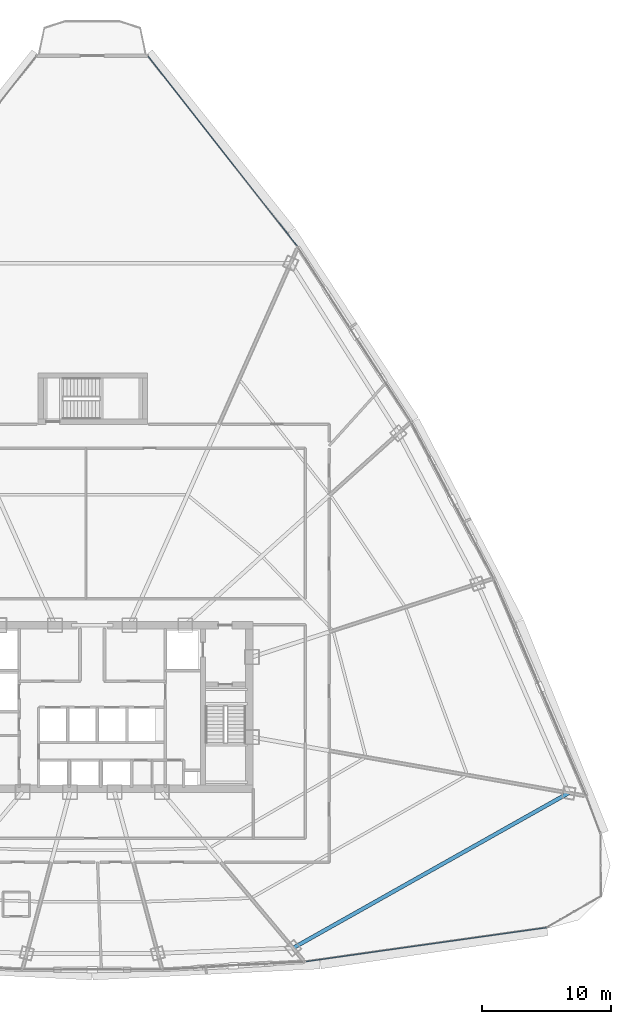
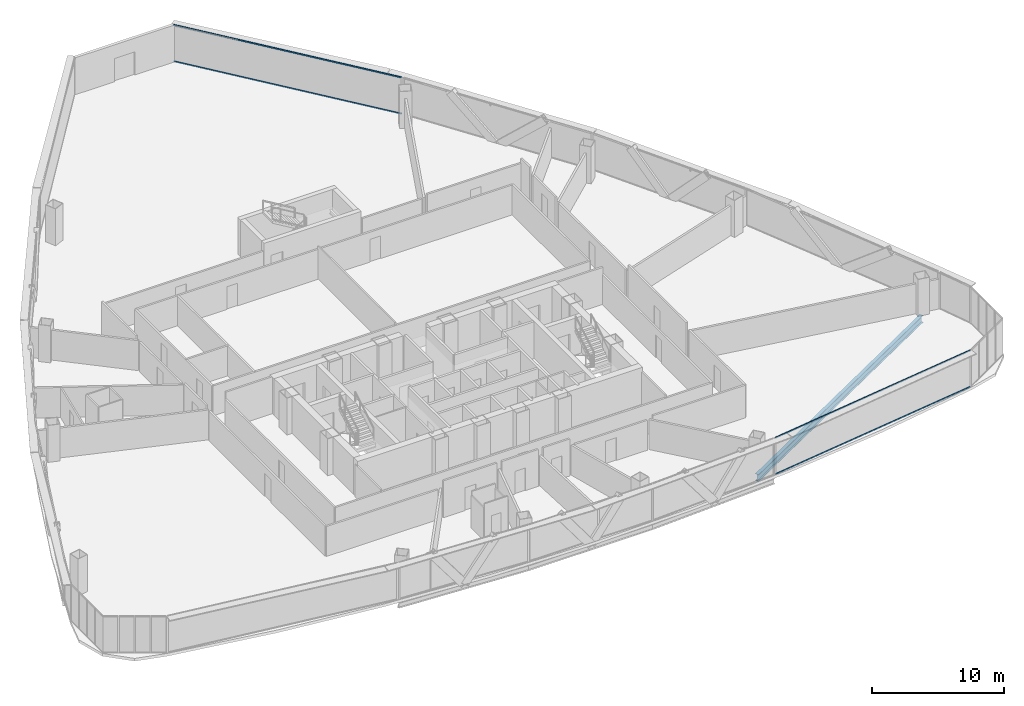
# One storey, part 23 of 42: 4 members, 1 beam, 2 elements without a shape of their own.
"""IFC4 building model written with IfcOpenShell, lengths in metres."""

from ifc_helpers import new_model, si_unit, direction, frame, origin, origin_2d, place, context, subcontext, project, spatial, hollow_rectangle, i_section, extrude, source, transform, mapped, material, layer, layer_set, material_profile, profile_set, type_object, element, aggregate, save


model = new_model("IFC4")

# Units and contexts
model_context = context("Model", 3, precision=1e-05, world=origin(), true_north=direction((0.0, 1.0)))
body_context = subcontext(model_context, "Body", "Model", "MODEL_VIEW")
ifc_project = project(units=[si_unit("LENGTHUNIT", "METRE"), si_unit("AREAUNIT", "SQUARE_METRE"), si_unit("VOLUMEUNIT", "CUBIC_METRE"), si_unit("PLANEANGLEUNIT", "RADIAN"), si_unit("MASSUNIT", "GRAM", prefix="KILO"), si_unit("THERMODYNAMICTEMPERATUREUNIT", "KELVIN"), si_unit("POWERUNIT", "WATT")], contexts=[model_context])

# Site, building, storey
site_placement = place(None, origin())
site = spatial("IfcSite", under=ifc_project, at=site_placement, CompositionType="ELEMENT")
building_placement = place(site_placement, origin())
building = spatial("IfcBuilding", under=site, at=building_placement, Name="Yunzhuo Pagoda Commons", CompositionType="ELEMENT")
storey_placement = place(building_placement, frame((0.0, 0.0, 151.909912109375)))
storey = spatial("IfcBuildingStorey", under=building, at=storey_placement, Name="L38", CompositionType="ELEMENT", Elevation=151.909912109375)

# Beam
ifc_material_1 = material(Name="Structural steel Q355B", Category="steel")
ifc_material_profile_1 = material_profile(ifc_material_1, i_section(OverallWidth=0.300048828125, OverallDepth=0.64990234375, WebThickness=0.012939453125, FlangeThickness=0.02197265625, at=origin_2d()), Name="Structural steel Q355B")
ifc_profile_set_1 = profile_set([ifc_material_profile_1], Name="Structural steel Q355B")
beam_type = type_object("IfcBeamType", Name="B-RG2 Beam HN 650x300x13x22", PredefinedType="BEAM", material=ifc_profile_set_1)
shared_shape_1 = source(origin(), body_context, "Body", "SweptSolid", [
    extrude(i_section(OverallWidth=0.300048828125, OverallDepth=0.64990234375, WebThickness=0.012939453125, FlangeThickness=0.02197265625, at=origin_2d()), origin(), (0.0, 0.0, 1.0), 24.56982421875),
])
beam_placement = place(storey_placement, frame((63.585205078125, 15.126220703125, -0.5849609375), z_axis=(0.871469103633, 0.490450406681, 0.0), x_axis=(-0.490450406681, 0.871469103633, 0.0)))
element("IfcBeam", 1, at=beam_placement, inside=storey, type_object=beam_type, Name="L38 column-ring beam 4", PredefinedType="BEAM", context=body_context, shape_type="MappedRepresentation", body=[
    mapped(shared_shape_1, transform((0.0, 0.0, 0.0), scale=1.0)),
])

# Curtain wall, members
ifc_material_2 = material(Name="Anodized aluminium 6063-T6", Category="aluminium")
ifc_layer = layer(ifc_material_2, 0.14990234375)
ifc_layer_set = layer_set([ifc_layer], Name="Anodized aluminium 6063-T6")
curtain_wall_type = type_object("IfcCurtainWallType", Name="CW-MID Mid-Zone Ribbon Curtain Wall", PredefinedType="NOTDEFINED", material=ifc_layer_set)
curtain_wall_1_placement = place(storey_placement, origin())
curtain_wall_1 = element("IfcCurtainWall", 2, at=curtain_wall_1_placement, inside=storey, type_object=curtain_wall_type, Name="L38 curtain wall CW-L38-F1B5", PredefinedType="NOTDEFINED")
ifc_material_profile_2 = material_profile(ifc_material_2, hollow_rectangle(XDim=0.054931640625, YDim=0.1298828125, WallThickness=0.00341796875, at=origin_2d()), Name="Anodized aluminium 6063-T6")
ifc_profile_set_2 = profile_set([ifc_material_profile_2], Name="Anodized aluminium 6063-T6")
member_type = type_object("IfcMemberType", Name="CW-MID-T Transom RHS 130x55x3.5", PredefinedType="USERDEFINED", material=ifc_profile_set_2)
shared_shape_2 = source(origin(), body_context, "Body", "SweptSolid", [
    extrude(hollow_rectangle(XDim=0.054931640625, YDim=0.1298828125, WallThickness=0.00341796875, at=origin_2d()), origin(), (0.0, 0.0, 1.0), 18.81689453125),
])
member_1_placement = place(storey_placement, frame((64.6064453125, 14.08740234375, 0.027587890625), z_axis=(0.990203475136, 0.139631936994, 0.0), x_axis=(-0.139631936994, 0.990203475136, 0.0)))
member_1 = element("IfcMember", 3, at=member_1_placement, type_object=member_type, Name="CW transom 1.1", ObjectType="TRANSOM", PredefinedType="USERDEFINED", context=body_context, shape_type="MappedRepresentation", body=[
    mapped(shared_shape_2, transform((0.0, 0.0, 0.0), scale=1.0)),
])
member_2_placement = place(storey_placement, frame((64.6064453125, 14.08740234375, 3.392578125), z_axis=(0.990203475136, 0.139631936994, 0.0), x_axis=(-0.139631936994, 0.990203475136, 0.0)))
member_2 = element("IfcMember", 4, at=member_2_placement, type_object=member_type, Name="CW transom 1.2", ObjectType="TRANSOM", PredefinedType="USERDEFINED", context=body_context, shape_type="MappedRepresentation", body=[
    mapped(shared_shape_2, transform((0.0, 0.0, 0.0), scale=1.0)),
])
aggregate(curtain_wall_1, [member_1, member_2])

curtain_wall_2_placement = place(storey_placement, origin())
curtain_wall_2 = element("IfcCurtainWall", 5, at=curtain_wall_2_placement, inside=storey, type_object=curtain_wall_type, Name="L38 curtain wall CW-L38-F2B5", PredefinedType="NOTDEFINED")
shared_shape_3 = source(origin(), body_context, "Body", "SweptSolid", [
    extrude(hollow_rectangle(XDim=0.054931640625, YDim=0.1298828125, WallThickness=0.00341796875, at=origin_2d()), origin(), (0.0, 0.0, 1.0), 18.6806640625),
])
member_3_placement = place(storey_placement, frame((63.883544921875, 69.668701171875, 0.027587890625), z_axis=(-0.61725574956, 0.786762568781, 0.0), x_axis=(-0.786762568781, -0.61725574956, 0.0)))
member_3 = element("IfcMember", 6, at=member_3_placement, type_object=member_type, Name="CW transom 1.1", ObjectType="TRANSOM", PredefinedType="USERDEFINED", context=body_context, shape_type="MappedRepresentation", body=[
    mapped(shared_shape_3, transform((0.0, 0.0, 0.0), scale=1.0)),
])
member_4_placement = place(storey_placement, frame((63.883544921875, 69.668701171875, 3.392578125), z_axis=(-0.61725574956, 0.786762568781, 0.0), x_axis=(-0.786762568781, -0.61725574956, 0.0)))
member_4 = element("IfcMember", 7, at=member_4_placement, type_object=member_type, Name="CW transom 1.2", ObjectType="TRANSOM", PredefinedType="USERDEFINED", context=body_context, shape_type="MappedRepresentation", body=[
    mapped(shared_shape_3, transform((0.0, 0.0, 0.0), scale=1.0)),
])
aggregate(curtain_wall_2, [member_3, member_4])

save(model, "model.ifc")
